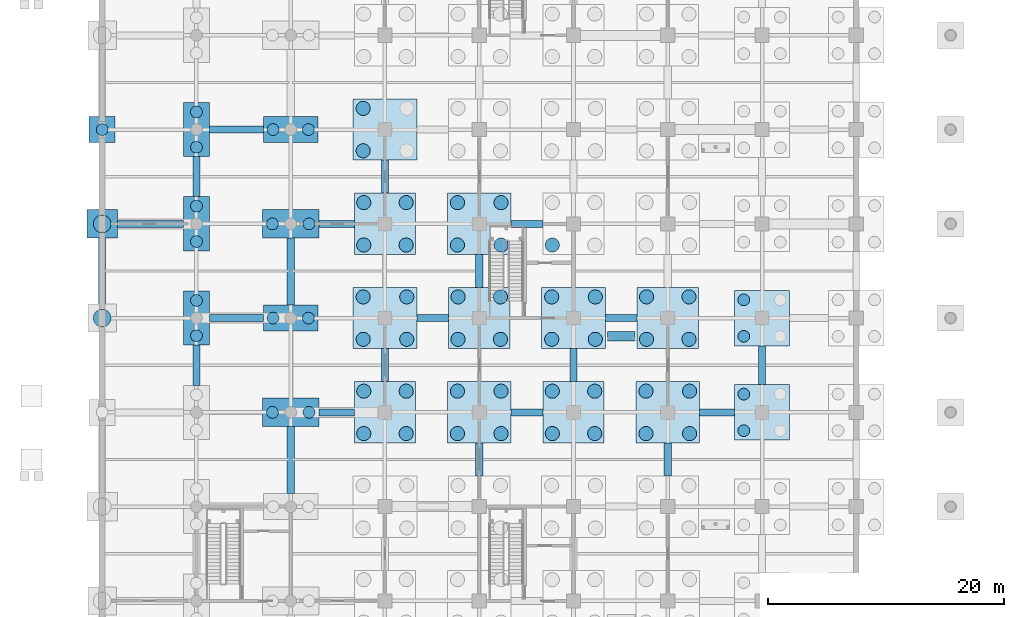
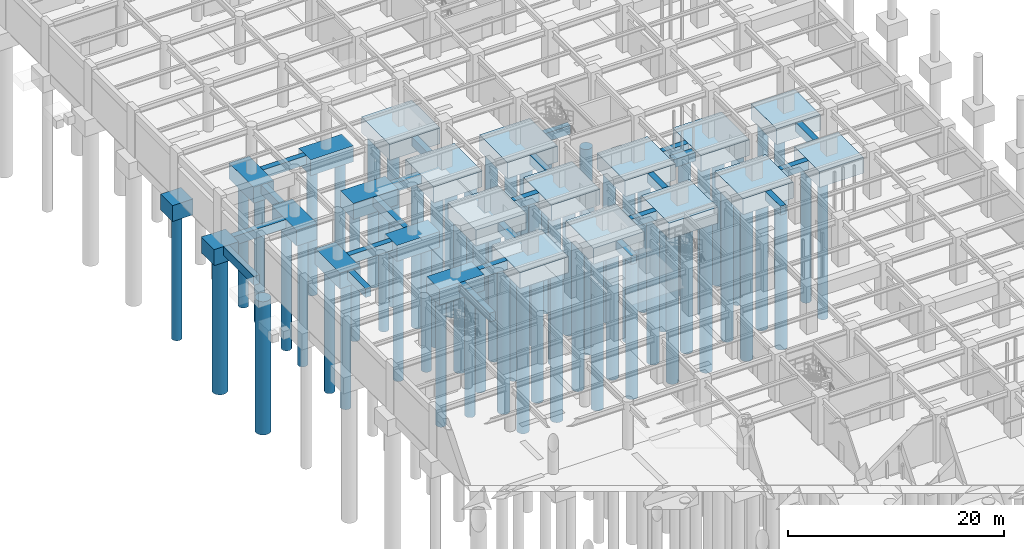
# One storey, part 6 of 97: 64 piles, 45 footings.
"""IFC4 building model written with IfcOpenShell, lengths in metres."""

from ifc_helpers import new_model, si_unit, direction, frame, origin, origin_2d, place, context, subcontext, project, spatial, rectangle, circle, extrude, material, layer, layer_set, material_profile, profile_set, type_object, element, save


model = new_model("IFC4")

# Units and contexts
model_context = context("Model", 3, precision=1e-05, world=origin(), true_north=direction((0.0, 1.0)))
body_context = subcontext(model_context, "Body", "Model", "MODEL_VIEW")
ifc_project = project(units=[si_unit("LENGTHUNIT", "METRE"), si_unit("AREAUNIT", "SQUARE_METRE"), si_unit("VOLUMEUNIT", "CUBIC_METRE"), si_unit("PLANEANGLEUNIT", "RADIAN"), si_unit("MASSUNIT", "GRAM", prefix="KILO")], contexts=[model_context])

# Site, building, storey
site_placement = place(None, origin())
site = spatial("IfcSite", under=ifc_project, at=site_placement, CompositionType="ELEMENT")
building_placement = place(site_placement, origin())
building = spatial("IfcBuilding", under=site, at=building_placement, Name="Haebicheon Civic Stadium", CompositionType="ELEMENT")
storey_placement = place(building_placement, frame((0.0, 0.0, -5.39990234375)))
storey = spatial("IfcBuildingStorey", under=building, at=storey_placement, Name="B1", CompositionType="ELEMENT", Elevation=-5.39990234375)

# Footings
ifc_material_1 = material(Name="Concrete C40/50", Category="concrete")
ifc_layer_1 = layer(ifc_material_1, 1.0, Name="Concrete C40/50")
ifc_layer_set_1 = layer_set([ifc_layer_1], Name="Concrete C40/50")
footing_type_1 = type_object("IfcFootingType", Name="FB-2700x600", PredefinedType="FOOTING_BEAM", material=ifc_layer_set_1)
for number, where, z_axis, x_axis, name in (
    (1, (28.050048828125, 104.0, -1.0), (0.0, 0.0, 1.0), (1.0, 0.0, 0.0), "Ground tie beam X 03-13"),
    (2, (36.050048828125, 96.0, -1.0), (0.0, 0.0, 1.0), (1.0, 0.0, 0.0), "Ground tie beam X 04-12"),
    (3, (36.050048828125, 112.0, -1.0), (0.0, 0.0, 1.0), (1.0, 0.0, 0.0), "Ground tie beam X 04-14"),
    (4, (44.050048828125, 104.0, -1.0), (0.0, 0.0, 1.0), (1.0, 0.0, 0.0), "Ground tie beam X 05-13"),
):
    element("IfcFooting", number, at=place(storey_placement, frame(where, z_axis=z_axis, x_axis=x_axis)), inside=storey, type_object=footing_type_1, material=ifc_layer_set_1, Name=name, PredefinedType="FOOTING_BEAM", context=body_context, shape_type="SweptSolid", body=[
        extrude(rectangle(XDim=2.699951171875, YDim=0.60009765625, at=origin_2d()), origin(), (0.0, 0.0, 1.0), 1.0),
    ])
ifc_material_2 = material(Name="Concrete C40/50", Category="concrete")
ifc_layer_2 = layer(ifc_material_2, 1.0, Name="Concrete C40/50")
ifc_layer_set_2 = layer_set([ifc_layer_2], Name="Concrete C40/50")
footing_type_2 = type_object("IfcFootingType", Name="FB-2800x600", PredefinedType="FOOTING_BEAM", material=ifc_layer_set_2)
for number, where, z_axis, x_axis, name in (
    (5, (24.0, 100.0, -1.0), (0.0, 0.0, 1.0), (0.0, 1.0, 0.0), "Ground tie beam Y 03-12"),
    (6, (24.0, 116.0, -1.0), (0.0, 0.0, 1.0), (0.0, 1.0, 0.0), "Ground tie beam Y 03-14"),
    (7, (32.0, 92.0, -1.0), (0.0, 0.0, 1.0), (0.0, 1.0, 0.0), "Ground tie beam Y 04-11"),
    (8, (32.0, 108.0, -1.0), (0.0, 0.0, 1.0), (0.0, 1.0, 0.0), "Ground tie beam Y 04-13"),
    (9, (40.0, 100.0, -1.0), (0.0, 0.0, 1.0), (0.0, 1.0, 0.0), "Ground tie beam Y 05-12"),
    (10, (48.0, 92.0, -1.0), (0.0, 0.0, 1.0), (0.0, 1.0, 0.0), "Ground tie beam Y 06-11"),
):
    element("IfcFooting", number, at=place(storey_placement, frame(where, z_axis=z_axis, x_axis=x_axis)), inside=storey, type_object=footing_type_2, material=ifc_layer_set_2, Name=name, PredefinedType="FOOTING_BEAM", context=body_context, shape_type="SweptSolid", body=[
        extrude(rectangle(XDim=2.800048828125, YDim=0.60009765625, at=origin_2d()), origin(), (0.0, 0.0, 1.0), 1.0),
    ])
ifc_material_3 = material(Name="Concrete C40/50", Category="concrete")
ifc_layer_3 = layer(ifc_material_3, 1.0, Name="Concrete C40/50")
ifc_layer_set_3 = layer_set([ifc_layer_3], Name="Concrete C40/50")
footing_type_3 = type_object("IfcFootingType", Name="FB-2950x600", PredefinedType="FOOTING_BEAM", material=ifc_layer_set_3)
footing_1_placement = place(storey_placement, frame((52.175048828125, 96.0, -1.0), z_axis=(0.0, 0.0, 1.0), x_axis=(1.0, 0.0, 0.0)))
element("IfcFooting", 11, at=footing_1_placement, inside=storey, type_object=footing_type_3, material=ifc_layer_set_3, Name="Ground tie beam X 06-12", PredefinedType="FOOTING_BEAM", context=body_context, shape_type="SweptSolid", body=[
    extrude(rectangle(XDim=2.949951171875, YDim=0.60009765625, at=origin_2d()), origin(), (0.0, 0.0, 1.0), 1.0),
])
ifc_material_4 = material(Name="Concrete C40/50", Category="concrete")
ifc_layer_4 = layer(ifc_material_4, 1.0, Name="Concrete C40/50")
ifc_layer_set_4 = layer_set([ifc_layer_4], Name="Concrete C40/50")
footing_type_4 = type_object("IfcFootingType", Name="FB-3000x600", PredefinedType="FOOTING_BEAM", material=ifc_layer_set_4)
for number, where, z_axis, x_axis, name in (
    (12, (19.89990234375, 96.0, -1.0), (0.0, 0.0, 1.0), (1.0, 0.0, 0.0), "Ground tie beam X 02-12"),
    (13, (19.89990234375, 112.0, -1.0), (0.0, 0.0, 1.0), (1.0, 0.0, 0.0), "Ground tie beam X 02-14"),
):
    element("IfcFooting", number, at=place(storey_placement, frame(where, z_axis=z_axis, x_axis=x_axis)), inside=storey, type_object=footing_type_4, material=ifc_layer_set_4, Name=name, PredefinedType="FOOTING_BEAM", context=body_context, shape_type="SweptSolid", body=[
        extrude(rectangle(XDim=3.0, YDim=0.60009765625, at=origin_2d()), origin(), (0.0, 0.0, 1.0), 1.0),
    ])
ifc_material_5 = material(Name="Concrete C40/50", Category="concrete")
ifc_layer_5 = layer(ifc_material_5, 1.0, Name="Concrete C40/50")
ifc_layer_set_5 = layer_set([ifc_layer_5], Name="Concrete C40/50")
footing_type_5 = type_object("IfcFootingType", Name="FB-3300x600", PredefinedType="FOOTING_BEAM", material=ifc_layer_set_5)
footing_2_placement = place(storey_placement, frame((56.0, 100.0, -1.0), z_axis=(0.0, 0.0, 1.0), x_axis=(0.0, 1.0, 0.0)))
element("IfcFooting", 14, at=footing_2_placement, inside=storey, type_object=footing_type_5, material=ifc_layer_set_5, Name="Ground tie beam Y 07-12", PredefinedType="FOOTING_BEAM", context=body_context, shape_type="SweptSolid", body=[
    extrude(rectangle(XDim=3.300048828125, YDim=0.60009765625, at=origin_2d()), origin(), (0.0, 0.0, 1.0), 1.0),
])
ifc_material_6 = material(Name="Concrete C40/50", Category="concrete")
ifc_layer_6 = layer(ifc_material_6, 1.0, Name="Concrete C40/50")
ifc_layer_set_6 = layer_set([ifc_layer_6], Name="Concrete C40/50")
footing_type_6 = type_object("IfcFootingType", Name="FB-3400x600", PredefinedType="FOOTING_BEAM", material=ifc_layer_set_6)
for number, where, z_axis, x_axis, name in (
    (15, (8.0, 100.0, -1.0), (0.0, 0.0, 1.0), (0.0, 1.0, 0.0), "Ground tie beam Y 01-12"),
    (16, (8.0, 116.0, -1.0), (0.0, 0.0, 1.0), (0.0, 1.0, 0.0), "Ground tie beam Y 01-14"),
):
    element("IfcFooting", number, at=place(storey_placement, frame(where, z_axis=z_axis, x_axis=x_axis)), inside=storey, type_object=footing_type_6, material=ifc_layer_set_6, Name=name, PredefinedType="FOOTING_BEAM", context=body_context, shape_type="SweptSolid", body=[
        extrude(rectangle(XDim=3.39990234375, YDim=0.60009765625, at=origin_2d()), origin(), (0.0, 0.0, 1.0), 1.0),
    ])
ifc_material_7 = material(Name="Concrete C40/50", Category="concrete")
ifc_layer_7 = layer(ifc_material_7, 1.0, Name="Concrete C40/50")
ifc_layer_set_7 = layer_set([ifc_layer_7], Name="Concrete C40/50")
footing_type_7 = type_object("IfcFootingType", Name="FB-4600x600", PredefinedType="FOOTING_BEAM", material=ifc_layer_set_7)
for number, where, z_axis, x_axis, name in (
    (17, (11.39990234375, 104.0, -1.0), (0.0, 0.0, 1.0), (1.0, 0.0, 0.0), "Ground tie beam X 01-13"),
    (18, (11.39990234375, 120.0, -1.0), (0.0, 0.0, 1.0), (1.0, 0.0, 0.0), "Ground tie beam X 01-15"),
):
    element("IfcFooting", number, at=place(storey_placement, frame(where, z_axis=z_axis, x_axis=x_axis)), inside=storey, type_object=footing_type_7, material=ifc_layer_set_7, Name=name, PredefinedType="FOOTING_BEAM", context=body_context, shape_type="SweptSolid", body=[
        extrude(rectangle(XDim=4.60009765625, YDim=0.60009765625, at=origin_2d()), origin(), (0.0, 0.0, 1.0), 1.0),
    ])
ifc_material_8 = material(Name="Concrete C40/50", Category="concrete")
ifc_layer_8 = layer(ifc_material_8, 1.0, Name="Concrete C40/50")
ifc_layer_set_8 = layer_set([ifc_layer_8], Name="Concrete C40/50")
footing_type_8 = type_object("IfcFootingType", Name="FB-5600x600", PredefinedType="FOOTING_BEAM", material=ifc_layer_set_8)
for number, where, z_axis, x_axis, name in (
    (19, (0.0, 108.0, -1.0), (0.0, 0.0, 1.0), (0.0, 1.0, 0.0), "Ground tie beam Y 00-13"),
    (20, (4.10009765625, 112.0, -1.0), (0.0, 0.0, 1.0), (1.0, 0.0, 0.0), "Ground tie beam X 00-14"),
):
    element("IfcFooting", number, at=place(storey_placement, frame(where, z_axis=z_axis, x_axis=x_axis)), inside=storey, type_object=footing_type_8, material=ifc_layer_set_8, Name=name, PredefinedType="FOOTING_BEAM", context=body_context, shape_type="SweptSolid", body=[
        extrude(rectangle(XDim=5.60009765625, YDim=0.60009765625, at=origin_2d()), origin(), (0.0, 0.0, 1.0), 1.0),
    ])
ifc_material_9 = material(Name="Concrete C40/50", Category="concrete")
ifc_layer_9 = layer(ifc_material_9, 1.0, Name="Concrete C40/50")
ifc_layer_set_9 = layer_set([ifc_layer_9], Name="Concrete C40/50")
footing_type_9 = type_object("IfcFootingType", Name="FB-5700x600", PredefinedType="FOOTING_BEAM", material=ifc_layer_set_9)
for number, where, z_axis, x_axis, name in (
    (21, (16.0, 91.949951171875, -1.0), (0.0, 0.0, 1.0), (0.0, 1.0, 0.0), "Ground tie beam Y 02-11"),
    (22, (16.0, 107.949951171875, -1.0), (0.0, 0.0, 1.0), (0.0, 1.0, 0.0), "Ground tie beam Y 02-13"),
):
    element("IfcFooting", number, at=place(storey_placement, frame(where, z_axis=z_axis, x_axis=x_axis)), inside=storey, type_object=footing_type_9, material=ifc_layer_set_9, Name=name, PredefinedType="FOOTING_BEAM", context=body_context, shape_type="SweptSolid", body=[
        extrude(rectangle(XDim=5.699951171875, YDim=0.60009765625, at=origin_2d()), origin(), (0.0, 0.0, 1.0), 1.0),
    ])
ifc_material_10 = material(Name="Concrete C40/50", Category="concrete")
ifc_layer_10 = layer(ifc_material_10, 1.800048828125, Name="Concrete C40/50")
ifc_layer_set_10 = layer_set([ifc_layer_10], Name="Concrete C40/50")
footing_type_10 = type_object("IfcFootingType", Name="PC-1P-2200", PredefinedType="PILE_CAP", material=ifc_layer_set_10)
footing_3_placement = place(storey_placement, frame((0.0, 120.0, -1.80029296875), z_axis=(0.0, 0.0, 1.0), x_axis=(1.0, 0.0, 0.0)))
element("IfcFooting", 23, at=footing_3_placement, inside=storey, type_object=footing_type_10, material=ifc_layer_set_10, Name="Pile cap FT-PC-00-15", PredefinedType="PILE_CAP", context=body_context, shape_type="SweptSolid", body=[
    extrude(rectangle(XDim=2.199951171875, YDim=2.199951171875, at=origin_2d()), origin(), (0.0, 0.0, 1.0), 1.800048828125),
])
ifc_material_11 = material(Name="Concrete C40/50", Category="concrete")
ifc_layer_11 = layer(ifc_material_11, 1.800048828125, Name="Concrete C40/50")
ifc_layer_set_11 = layer_set([ifc_layer_11], Name="Concrete C40/50")
footing_type_11 = type_object("IfcFootingType", Name="PC-1P-2600", PredefinedType="PILE_CAP", material=ifc_layer_set_11)
footing_4_placement = place(storey_placement, frame((0.0, 112.0, -1.80029296875), z_axis=(0.0, 0.0, 1.0), x_axis=(1.0, 0.0, 0.0)))
element("IfcFooting", 24, at=footing_4_placement, inside=storey, type_object=footing_type_11, material=ifc_layer_set_11, Name="Pile cap FT-PC-00-14", PredefinedType="PILE_CAP", context=body_context, shape_type="SweptSolid", body=[
    extrude(rectangle(XDim=2.60009765625, YDim=2.39990234375, at=origin_2d()), origin(), (0.0, 0.0, 1.0), 1.800048828125),
])
ifc_material_12 = material(Name="Concrete C40/50", Category="concrete")
ifc_layer_12 = layer(ifc_material_12, 1.800048828125, Name="Concrete C40/50")
ifc_layer_set_12 = layer_set([ifc_layer_12], Name="Concrete C40/50")
footing_type_12 = type_object("IfcFootingType", Name="PC-2P-2200", PredefinedType="PILE_CAP", material=ifc_layer_set_12)
for number, where, z_axis, x_axis, name in (
    (25, (8.0, 104.0, -1.80029296875), (0.0, 0.0, 1.0), (1.0, 0.0, 0.0), "Pile cap FT-PC-01-13"),
    (26, (8.0, 112.0, -1.80029296875), (0.0, 0.0, 1.0), (1.0, 0.0, 0.0), "Pile cap FT-PC-01-14"),
    (27, (8.0, 120.0, -1.80029296875), (0.0, 0.0, 1.0), (1.0, 0.0, 0.0), "Pile cap FT-PC-01-15"),
):
    element("IfcFooting", number, at=place(storey_placement, frame(where, z_axis=z_axis, x_axis=x_axis)), inside=storey, type_object=footing_type_12, material=ifc_layer_set_12, Name=name, PredefinedType="PILE_CAP", context=body_context, shape_type="SweptSolid", body=[
        extrude(rectangle(XDim=2.199951171875, YDim=4.60009765625, at=origin_2d()), origin(), (0.0, 0.0, 1.0), 1.800048828125),
    ])
ifc_material_13 = material(Name="Concrete C40/50", Category="concrete")
ifc_layer_13 = layer(ifc_material_13, 1.800048828125, Name="Concrete C40/50")
ifc_layer_set_13 = layer_set([ifc_layer_13], Name="Concrete C40/50")
footing_type_13 = type_object("IfcFootingType", Name="PC-2P-4600", PredefinedType="PILE_CAP", material=ifc_layer_set_13)
for number, where, z_axis, x_axis, name in (
    (28, (16.0, 104.0, -1.80029296875), (0.0, 0.0, 1.0), (1.0, 0.0, 0.0), "Pile cap FT-PC-02-13"),
    (29, (16.0, 120.0, -1.80029296875), (0.0, 0.0, 1.0), (1.0, 0.0, 0.0), "Pile cap FT-PC-02-15"),
):
    element("IfcFooting", number, at=place(storey_placement, frame(where, z_axis=z_axis, x_axis=x_axis)), inside=storey, type_object=footing_type_13, material=ifc_layer_set_13, Name=name, PredefinedType="PILE_CAP", context=body_context, shape_type="SweptSolid", body=[
        extrude(rectangle(XDim=4.60009765625, YDim=2.199951171875, at=origin_2d()), origin(), (0.0, 0.0, 1.0), 1.800048828125),
    ])
ifc_material_14 = material(Name="Concrete C40/50", Category="concrete")
ifc_layer_14 = layer(ifc_material_14, 1.800048828125, Name="Concrete C40/50")
ifc_layer_set_14 = layer_set([ifc_layer_14], Name="Concrete C40/50")
footing_type_14 = type_object("IfcFootingType", Name="PC-2P-4800", PredefinedType="PILE_CAP", material=ifc_layer_set_14)
for number, where, z_axis, x_axis, name in (
    (30, (16.0, 96.0, -1.80029296875), (0.0, 0.0, 1.0), (1.0, 0.0, 0.0), "Pile cap FT-PC-02-12"),
    (31, (16.0, 112.0, -1.80029296875), (0.0, 0.0, 1.0), (1.0, 0.0, 0.0), "Pile cap FT-PC-02-14"),
):
    element("IfcFooting", number, at=place(storey_placement, frame(where, z_axis=z_axis, x_axis=x_axis)), inside=storey, type_object=footing_type_14, material=ifc_layer_set_14, Name=name, PredefinedType="PILE_CAP", context=body_context, shape_type="SweptSolid", body=[
        extrude(rectangle(XDim=4.800048828125, YDim=2.39990234375, at=origin_2d()), origin(), (0.0, 0.0, 1.0), 1.800048828125),
    ])
ifc_material_15 = material(Name="Concrete C40/50", Category="concrete")
ifc_layer_15 = layer(ifc_material_15, 1.800048828125, Name="Concrete C40/50")
ifc_layer_set_15 = layer_set([ifc_layer_15], Name="Concrete C40/50")
footing_type_15 = type_object("IfcFootingType", Name="PC-4P-4700", PredefinedType="PILE_CAP", material=ifc_layer_set_15)
for number, where, z_axis, x_axis, name in (
    (32, (56.0, 96.0, -1.80029296875), (0.0, 0.0, 1.0), (1.0, 0.0, 0.0), "Pile cap FT-PC-07-12"),
    (33, (56.0, 104.0, -1.80029296875), (0.0, 0.0, 1.0), (1.0, 0.0, 0.0), "Pile cap FT-PC-07-13"),
):
    element("IfcFooting", number, at=place(storey_placement, frame(where, z_axis=z_axis, x_axis=x_axis)), inside=storey, type_object=footing_type_15, material=ifc_layer_set_15, Name=name, PredefinedType="PILE_CAP", context=body_context, shape_type="SweptSolid", body=[
        extrude(rectangle(XDim=4.699951171875, YDim=4.699951171875, at=origin_2d()), origin(), (0.0, 0.0, 1.0), 1.800048828125),
    ])
ifc_material_16 = material(Name="Concrete C40/50", Category="concrete")
ifc_layer_16 = layer(ifc_material_16, 1.800048828125, Name="Concrete C40/50")
ifc_layer_set_16 = layer_set([ifc_layer_16], Name="Concrete C40/50")
footing_type_16 = type_object("IfcFootingType", Name="PC-4P-5200", PredefinedType="PILE_CAP", material=ifc_layer_set_16)
for number, where, z_axis, x_axis, name in (
    (34, (24.0, 96.0, -1.80029296875), (0.0, 0.0, 1.0), (1.0, 0.0, 0.0), "Pile cap FT-PC-03-12"),
    (35, (24.0, 112.0, -1.80029296875), (0.0, 0.0, 1.0), (1.0, 0.0, 0.0), "Pile cap FT-PC-03-14"),
    (36, (32.0, 104.0, -1.80029296875), (0.0, 0.0, 1.0), (1.0, 0.0, 0.0), "Pile cap FT-PC-04-13"),
    (37, (40.0, 96.0, -1.80029296875), (0.0, 0.0, 1.0), (1.0, 0.0, 0.0), "Pile cap FT-PC-05-12"),
    (38, (48.0, 104.0, -1.80029296875), (0.0, 0.0, 1.0), (1.0, 0.0, 0.0), "Pile cap FT-PC-06-13"),
):
    element("IfcFooting", number, at=place(storey_placement, frame(where, z_axis=z_axis, x_axis=x_axis)), inside=storey, type_object=footing_type_16, material=ifc_layer_set_16, Name=name, PredefinedType="PILE_CAP", context=body_context, shape_type="SweptSolid", body=[
        extrude(rectangle(XDim=5.199951171875, YDim=5.199951171875, at=origin_2d()), origin(), (0.0, 0.0, 1.0), 1.800048828125),
    ])
ifc_material_17 = material(Name="Concrete C40/50", Category="concrete")
ifc_layer_17 = layer(ifc_material_17, 1.800048828125, Name="Concrete C40/50")
ifc_layer_set_17 = layer_set([ifc_layer_17], Name="Concrete C40/50")
footing_type_17 = type_object("IfcFootingType", Name="PC-4P-5400", PredefinedType="PILE_CAP", material=ifc_layer_set_17)
for number, where, z_axis, x_axis, name in (
    (39, (24.0, 104.0, -1.80029296875), (0.0, 0.0, 1.0), (1.0, 0.0, 0.0), "Pile cap FT-PC-03-13"),
    (40, (24.0, 120.0, -1.80029296875), (0.0, 0.0, 1.0), (1.0, 0.0, 0.0), "Pile cap FT-PC-03-15"),
    (41, (32.0, 96.0, -1.80029296875), (0.0, 0.0, 1.0), (1.0, 0.0, 0.0), "Pile cap FT-PC-04-12"),
    (42, (32.0, 112.0, -1.80029296875), (0.0, 0.0, 1.0), (1.0, 0.0, 0.0), "Pile cap FT-PC-04-14"),
    (43, (40.0, 104.0, -1.80029296875), (0.0, 0.0, 1.0), (1.0, 0.0, 0.0), "Pile cap FT-PC-05-13"),
    (44, (48.0, 96.0, -1.80029296875), (0.0, 0.0, 1.0), (1.0, 0.0, 0.0), "Pile cap FT-PC-06-12"),
):
    element("IfcFooting", number, at=place(storey_placement, frame(where, z_axis=z_axis, x_axis=x_axis)), inside=storey, type_object=footing_type_17, material=ifc_layer_set_17, Name=name, PredefinedType="PILE_CAP", context=body_context, shape_type="SweptSolid", body=[
        extrude(rectangle(XDim=5.39990234375, YDim=5.199951171875, at=origin_2d()), origin(), (0.0, 0.0, 1.0), 1.800048828125),
    ])
ifc_material_18 = material(Name="Concrete C35/45", Category="concrete")
ifc_layer_18 = layer(ifc_material_18, 0.89990234375, Name="Concrete C35/45")
ifc_layer_set_18 = layer_set([ifc_layer_18], Name="Concrete C35/45")
footing_type_18 = type_object("IfcFootingType", Name="PF-2360x800", PredefinedType="PAD_FOOTING", material=ifc_layer_set_18)
footing_5_placement = place(storey_placement, frame((44.050048828125, 102.449951171875, -0.900146484375), z_axis=(0.0, 0.0, 1.0), x_axis=(1.0, 0.0, 0.0)))
element("IfcFooting", 45, at=footing_5_placement, inside=storey, type_object=footing_type_18, material=ifc_layer_set_18, Name="VM-05 vomitory landing pad footing", PredefinedType="PAD_FOOTING", context=body_context, shape_type="SweptSolid", body=[
    extrude(rectangle(XDim=2.360107421875, YDim=0.800048828125, at=origin_2d()), origin(), (0.0, 0.0, 1.0), 0.89990234375),
])

# Piles
ifc_material_19 = material(Name="Concrete C40/50", Category="concrete")
ifc_material_profile_1 = material_profile(ifc_material_19, circle(Radius=0.5, at=origin_2d()), Name="PILE-D1000")
ifc_profile_set_1 = profile_set([ifc_material_profile_1], Name="Concrete C40/50")
pile_type_1 = type_object("IfcPileType", Name="PL-D1000", PredefinedType="BORED", material=ifc_profile_set_1)
for number, where, z_axis, x_axis, name in (
    (46, (0.0, 120.0, -1.7001953125), (0.0, 0.0, -1.0), (1.0, 0.0, 0.0), "Bored pile 00-15-1"),
    (47, (8.0, 102.5, -1.7001953125), (0.0, 0.0, -1.0), (1.0, 0.0, 0.0), "Bored pile 01-13-1"),
    (48, (8.0, 105.5, -1.7001953125), (0.0, 0.0, -1.0), (1.0, 0.0, 0.0), "Bored pile 01-13-2"),
    (49, (8.0, 110.5, -1.7001953125), (0.0, 0.0, -1.0), (1.0, 0.0, 0.0), "Bored pile 01-14-1"),
    (50, (8.0, 113.5, -1.7001953125), (0.0, 0.0, -1.0), (1.0, 0.0, 0.0), "Bored pile 01-14-2"),
    (51, (8.0, 118.5, -1.7001953125), (0.0, 0.0, -1.0), (1.0, 0.0, 0.0), "Bored pile 01-15-1"),
    (52, (8.0, 121.5, -1.7001953125), (0.0, 0.0, -1.0), (1.0, 0.0, 0.0), "Bored pile 01-15-2"),
):
    element("IfcPile", number, at=place(storey_placement, frame(where, z_axis=z_axis, x_axis=x_axis)), inside=storey, type_object=pile_type_1, material=ifc_profile_set_1, Name=name, PredefinedType="BORED", context=body_context, shape_type="SweptSolid", body=[
        extrude(circle(Radius=0.5, at=origin_2d()), origin(), (0.0, 0.0, 1.0), 14.300048828125),
    ])
for number, where, z_axis, x_axis, name in (
    (53, (14.449951171875, 96.0, -1.7001953125), (0.0, 0.0, -1.0), (1.0, 0.0, 0.0), "Bored pile 02-12-1"),
    (54, (17.550048828125, 96.0, -1.7001953125), (0.0, 0.0, -1.0), (1.0, 0.0, 0.0), "Bored pile 02-12-2"),
):
    element("IfcPile", number, at=place(storey_placement, frame(where, z_axis=z_axis, x_axis=x_axis)), inside=storey, type_object=pile_type_1, material=ifc_profile_set_1, Name=name, PredefinedType="BORED", context=body_context, shape_type="SweptSolid", body=[
        extrude(circle(Radius=0.5, at=origin_2d()), origin(), (0.0, 0.0, 1.0), 14.60009765625),
    ])
for number, where, z_axis, x_axis, name in (
    (55, (14.5, 104.0, -1.7001953125), (0.0, 0.0, -1.0), (1.0, 0.0, 0.0), "Bored pile 02-13-1"),
    (56, (17.5, 104.0, -1.7001953125), (0.0, 0.0, -1.0), (1.0, 0.0, 0.0), "Bored pile 02-13-2"),
):
    element("IfcPile", number, at=place(storey_placement, frame(where, z_axis=z_axis, x_axis=x_axis)), inside=storey, type_object=pile_type_1, material=ifc_profile_set_1, Name=name, PredefinedType="BORED", context=body_context, shape_type="SweptSolid", body=[
        extrude(circle(Radius=0.5, at=origin_2d()), origin(), (0.0, 0.0, 1.0), 14.300048828125),
    ])
for number, where, z_axis, x_axis, name in (
    (57, (14.449951171875, 112.0, -1.7001953125), (0.0, 0.0, -1.0), (1.0, 0.0, 0.0), "Bored pile 02-14-1"),
    (58, (17.550048828125, 112.0, -1.7001953125), (0.0, 0.0, -1.0), (1.0, 0.0, 0.0), "Bored pile 02-14-2"),
):
    element("IfcPile", number, at=place(storey_placement, frame(where, z_axis=z_axis, x_axis=x_axis)), inside=storey, type_object=pile_type_1, material=ifc_profile_set_1, Name=name, PredefinedType="BORED", context=body_context, shape_type="SweptSolid", body=[
        extrude(circle(Radius=0.5, at=origin_2d()), origin(), (0.0, 0.0, 1.0), 14.60009765625),
    ])
for number, where, z_axis, x_axis, name in (
    (59, (14.5, 120.0, -1.7001953125), (0.0, 0.0, -1.0), (1.0, 0.0, 0.0), "Bored pile 02-15-1"),
    (60, (17.5, 120.0, -1.7001953125), (0.0, 0.0, -1.0), (1.0, 0.0, 0.0), "Bored pile 02-15-2"),
):
    element("IfcPile", number, at=place(storey_placement, frame(where, z_axis=z_axis, x_axis=x_axis)), inside=storey, type_object=pile_type_1, material=ifc_profile_set_1, Name=name, PredefinedType="BORED", context=body_context, shape_type="SweptSolid", body=[
        extrude(circle(Radius=0.5, at=origin_2d()), origin(), (0.0, 0.0, 1.0), 14.300048828125),
    ])
for number, where, z_axis, x_axis, name in (
    (61, (54.449951171875, 94.449951171875, -1.7001953125), (0.0, 0.0, -1.0), (1.0, 0.0, 0.0), "Bored pile 07-12-1"),
    (62, (54.449951171875, 97.550048828125, -1.7001953125), (0.0, 0.0, -1.0), (1.0, 0.0, 0.0), "Bored pile 07-12-3"),
    (63, (54.449951171875, 102.449951171875, -1.7001953125), (0.0, 0.0, -1.0), (1.0, 0.0, 0.0), "Bored pile 07-13-1"),
    (64, (54.449951171875, 105.550048828125, -1.7001953125), (0.0, 0.0, -1.0), (1.0, 0.0, 0.0), "Bored pile 07-13-3"),
):
    element("IfcPile", number, at=place(storey_placement, frame(where, z_axis=z_axis, x_axis=x_axis)), inside=storey, type_object=pile_type_1, material=ifc_profile_set_1, Name=name, PredefinedType="BORED", context=body_context, shape_type="SweptSolid", body=[
        extrude(circle(Radius=0.5, at=origin_2d()), origin(), (0.0, 0.0, 1.0), 15.5),
    ])
ifc_material_20 = material(Name="Concrete C40/50", Category="concrete")
ifc_material_profile_2 = material_profile(ifc_material_20, circle(Radius=0.60009765625, at=origin_2d()), Name="PILE-D1200")
ifc_profile_set_2 = profile_set([ifc_material_profile_2], Name="Concrete C40/50")
pile_type_2 = type_object("IfcPileType", Name="PL-D1200", PredefinedType="BORED", material=ifc_profile_set_2)
for number, where, z_axis, x_axis, name in (
    (65, (22.199951171875, 94.199951171875, -1.7001953125), (0.0, 0.0, -1.0), (1.0, 0.0, 0.0), "Bored pile 03-12-1"),
    (66, (25.800048828125, 94.199951171875, -1.7001953125), (0.0, 0.0, -1.0), (1.0, 0.0, 0.0), "Bored pile 03-12-2"),
    (67, (22.199951171875, 97.800048828125, -1.7001953125), (0.0, 0.0, -1.0), (1.0, 0.0, 0.0), "Bored pile 03-12-3"),
    (68, (25.800048828125, 97.800048828125, -1.7001953125), (0.0, 0.0, -1.0), (1.0, 0.0, 0.0), "Bored pile 03-12-4"),
):
    element("IfcPile", number, at=place(storey_placement, frame(where, z_axis=z_axis, x_axis=x_axis)), inside=storey, type_object=pile_type_2, material=ifc_profile_set_2, Name=name, PredefinedType="BORED", context=body_context, shape_type="SweptSolid", body=[
        extrude(circle(Radius=0.60009765625, at=origin_2d()), origin(), (0.0, 0.0, 1.0), 16.89990234375),
    ])
for number, where, z_axis, x_axis, name in (
    (69, (22.14990234375, 102.199951171875, -1.7001953125), (0.0, 0.0, -1.0), (1.0, 0.0, 0.0), "Bored pile 03-13-1"),
    (70, (25.85009765625, 102.199951171875, -1.7001953125), (0.0, 0.0, -1.0), (1.0, 0.0, 0.0), "Bored pile 03-13-2"),
    (71, (22.14990234375, 105.800048828125, -1.7001953125), (0.0, 0.0, -1.0), (1.0, 0.0, 0.0), "Bored pile 03-13-3"),
    (72, (25.85009765625, 105.800048828125, -1.7001953125), (0.0, 0.0, -1.0), (1.0, 0.0, 0.0), "Bored pile 03-13-4"),
):
    element("IfcPile", number, at=place(storey_placement, frame(where, z_axis=z_axis, x_axis=x_axis)), inside=storey, type_object=pile_type_2, material=ifc_profile_set_2, Name=name, PredefinedType="BORED", context=body_context, shape_type="SweptSolid", body=[
        extrude(circle(Radius=0.60009765625, at=origin_2d()), origin(), (0.0, 0.0, 1.0), 17.10009765625),
    ])
for number, where, z_axis, x_axis, name in (
    (73, (22.199951171875, 110.199951171875, -1.7001953125), (0.0, 0.0, -1.0), (1.0, 0.0, 0.0), "Bored pile 03-14-1"),
    (74, (25.800048828125, 110.199951171875, -1.7001953125), (0.0, 0.0, -1.0), (1.0, 0.0, 0.0), "Bored pile 03-14-2"),
    (75, (22.199951171875, 113.800048828125, -1.7001953125), (0.0, 0.0, -1.0), (1.0, 0.0, 0.0), "Bored pile 03-14-3"),
    (76, (25.800048828125, 113.800048828125, -1.7001953125), (0.0, 0.0, -1.0), (1.0, 0.0, 0.0), "Bored pile 03-14-4"),
):
    element("IfcPile", number, at=place(storey_placement, frame(where, z_axis=z_axis, x_axis=x_axis)), inside=storey, type_object=pile_type_2, material=ifc_profile_set_2, Name=name, PredefinedType="BORED", context=body_context, shape_type="SweptSolid", body=[
        extrude(circle(Radius=0.60009765625, at=origin_2d()), origin(), (0.0, 0.0, 1.0), 16.89990234375),
    ])
for number, where, z_axis, x_axis, name in (
    (77, (22.14990234375, 118.199951171875, -1.7001953125), (0.0, 0.0, -1.0), (1.0, 0.0, 0.0), "Bored pile 03-15-1"),
    (78, (22.14990234375, 121.800048828125, -1.7001953125), (0.0, 0.0, -1.0), (1.0, 0.0, 0.0), "Bored pile 03-15-3"),
    (79, (30.14990234375, 94.199951171875, -1.7001953125), (0.0, 0.0, -1.0), (1.0, 0.0, 0.0), "Bored pile 04-12-1"),
    (80, (33.85009765625, 94.199951171875, -1.7001953125), (0.0, 0.0, -1.0), (1.0, 0.0, 0.0), "Bored pile 04-12-2"),
    (81, (30.14990234375, 97.800048828125, -1.7001953125), (0.0, 0.0, -1.0), (1.0, 0.0, 0.0), "Bored pile 04-12-3"),
    (82, (33.85009765625, 97.800048828125, -1.7001953125), (0.0, 0.0, -1.0), (1.0, 0.0, 0.0), "Bored pile 04-12-4"),
):
    element("IfcPile", number, at=place(storey_placement, frame(where, z_axis=z_axis, x_axis=x_axis)), inside=storey, type_object=pile_type_2, material=ifc_profile_set_2, Name=name, PredefinedType="BORED", context=body_context, shape_type="SweptSolid", body=[
        extrude(circle(Radius=0.60009765625, at=origin_2d()), origin(), (0.0, 0.0, 1.0), 17.10009765625),
    ])
for number, where, z_axis, x_axis, name in (
    (83, (30.199951171875, 102.199951171875, -1.7001953125), (0.0, 0.0, -1.0), (1.0, 0.0, 0.0), "Bored pile 04-13-1"),
    (84, (33.800048828125, 102.199951171875, -1.7001953125), (0.0, 0.0, -1.0), (1.0, 0.0, 0.0), "Bored pile 04-13-2"),
    (85, (30.199951171875, 105.800048828125, -1.7001953125), (0.0, 0.0, -1.0), (1.0, 0.0, 0.0), "Bored pile 04-13-3"),
    (86, (33.800048828125, 105.800048828125, -1.7001953125), (0.0, 0.0, -1.0), (1.0, 0.0, 0.0), "Bored pile 04-13-4"),
):
    element("IfcPile", number, at=place(storey_placement, frame(where, z_axis=z_axis, x_axis=x_axis)), inside=storey, type_object=pile_type_2, material=ifc_profile_set_2, Name=name, PredefinedType="BORED", context=body_context, shape_type="SweptSolid", body=[
        extrude(circle(Radius=0.60009765625, at=origin_2d()), origin(), (0.0, 0.0, 1.0), 16.89990234375),
    ])
for number, where, z_axis, x_axis, name in (
    (87, (30.14990234375, 110.199951171875, -1.7001953125), (0.0, 0.0, -1.0), (1.0, 0.0, 0.0), "Bored pile 04-14-1"),
    (88, (33.85009765625, 110.199951171875, -1.7001953125), (0.0, 0.0, -1.0), (1.0, 0.0, 0.0), "Bored pile 04-14-2"),
    (89, (30.14990234375, 113.800048828125, -1.7001953125), (0.0, 0.0, -1.0), (1.0, 0.0, 0.0), "Bored pile 04-14-3"),
    (90, (33.85009765625, 113.800048828125, -1.7001953125), (0.0, 0.0, -1.0), (1.0, 0.0, 0.0), "Bored pile 04-14-4"),
):
    element("IfcPile", number, at=place(storey_placement, frame(where, z_axis=z_axis, x_axis=x_axis)), inside=storey, type_object=pile_type_2, material=ifc_profile_set_2, Name=name, PredefinedType="BORED", context=body_context, shape_type="SweptSolid", body=[
        extrude(circle(Radius=0.60009765625, at=origin_2d()), origin(), (0.0, 0.0, 1.0), 17.10009765625),
    ])
for number, where, z_axis, x_axis, name in (
    (91, (38.199951171875, 94.199951171875, -1.7001953125), (0.0, 0.0, -1.0), (1.0, 0.0, 0.0), "Bored pile 05-12-1"),
    (92, (41.800048828125, 94.199951171875, -1.7001953125), (0.0, 0.0, -1.0), (1.0, 0.0, 0.0), "Bored pile 05-12-2"),
    (93, (38.199951171875, 97.800048828125, -1.7001953125), (0.0, 0.0, -1.0), (1.0, 0.0, 0.0), "Bored pile 05-12-3"),
    (94, (41.800048828125, 97.800048828125, -1.7001953125), (0.0, 0.0, -1.0), (1.0, 0.0, 0.0), "Bored pile 05-12-4"),
):
    element("IfcPile", number, at=place(storey_placement, frame(where, z_axis=z_axis, x_axis=x_axis)), inside=storey, type_object=pile_type_2, material=ifc_profile_set_2, Name=name, PredefinedType="BORED", context=body_context, shape_type="SweptSolid", body=[
        extrude(circle(Radius=0.60009765625, at=origin_2d()), origin(), (0.0, 0.0, 1.0), 16.89990234375),
    ])
for number, where, z_axis, x_axis, name in (
    (95, (38.14990234375, 102.199951171875, -1.7001953125), (0.0, 0.0, -1.0), (1.0, 0.0, 0.0), "Bored pile 05-13-1"),
    (96, (41.85009765625, 102.199951171875, -1.7001953125), (0.0, 0.0, -1.0), (1.0, 0.0, 0.0), "Bored pile 05-13-2"),
    (97, (38.14990234375, 105.800048828125, -1.7001953125), (0.0, 0.0, -1.0), (1.0, 0.0, 0.0), "Bored pile 05-13-3"),
    (98, (41.85009765625, 105.800048828125, -1.7001953125), (0.0, 0.0, -1.0), (1.0, 0.0, 0.0), "Bored pile 05-13-4"),
):
    element("IfcPile", number, at=place(storey_placement, frame(where, z_axis=z_axis, x_axis=x_axis)), inside=storey, type_object=pile_type_2, material=ifc_profile_set_2, Name=name, PredefinedType="BORED", context=body_context, shape_type="SweptSolid", body=[
        extrude(circle(Radius=0.60009765625, at=origin_2d()), origin(), (0.0, 0.0, 1.0), 17.10009765625),
    ])
pile_1_placement = place(storey_placement, frame((38.199951171875, 110.199951171875, -1.7001953125), z_axis=(0.0, 0.0, -1.0), x_axis=(1.0, 0.0, 0.0)))
element("IfcPile", 99, at=pile_1_placement, inside=storey, type_object=pile_type_2, material=ifc_profile_set_2, Name="Bored pile 05-14-1", PredefinedType="BORED", context=body_context, shape_type="SweptSolid", body=[
    extrude(circle(Radius=0.60009765625, at=origin_2d()), origin(), (0.0, 0.0, 1.0), 16.89990234375),
])
for number, where, z_axis, x_axis, name in (
    (100, (46.14990234375, 94.199951171875, -1.7001953125), (0.0, 0.0, -1.0), (1.0, 0.0, 0.0), "Bored pile 06-12-1"),
    (101, (49.85009765625, 94.199951171875, -1.7001953125), (0.0, 0.0, -1.0), (1.0, 0.0, 0.0), "Bored pile 06-12-2"),
    (102, (46.14990234375, 97.800048828125, -1.7001953125), (0.0, 0.0, -1.0), (1.0, 0.0, 0.0), "Bored pile 06-12-3"),
    (103, (49.85009765625, 97.800048828125, -1.7001953125), (0.0, 0.0, -1.0), (1.0, 0.0, 0.0), "Bored pile 06-12-4"),
):
    element("IfcPile", number, at=place(storey_placement, frame(where, z_axis=z_axis, x_axis=x_axis)), inside=storey, type_object=pile_type_2, material=ifc_profile_set_2, Name=name, PredefinedType="BORED", context=body_context, shape_type="SweptSolid", body=[
        extrude(circle(Radius=0.60009765625, at=origin_2d()), origin(), (0.0, 0.0, 1.0), 17.10009765625),
    ])
for number, where, z_axis, x_axis, name in (
    (104, (46.199951171875, 102.199951171875, -1.7001953125), (0.0, 0.0, -1.0), (1.0, 0.0, 0.0), "Bored pile 06-13-1"),
    (105, (49.800048828125, 102.199951171875, -1.7001953125), (0.0, 0.0, -1.0), (1.0, 0.0, 0.0), "Bored pile 06-13-2"),
    (106, (46.199951171875, 105.800048828125, -1.7001953125), (0.0, 0.0, -1.0), (1.0, 0.0, 0.0), "Bored pile 06-13-3"),
    (107, (49.800048828125, 105.800048828125, -1.7001953125), (0.0, 0.0, -1.0), (1.0, 0.0, 0.0), "Bored pile 06-13-4"),
):
    element("IfcPile", number, at=place(storey_placement, frame(where, z_axis=z_axis, x_axis=x_axis)), inside=storey, type_object=pile_type_2, material=ifc_profile_set_2, Name=name, PredefinedType="BORED", context=body_context, shape_type="SweptSolid", body=[
        extrude(circle(Radius=0.60009765625, at=origin_2d()), origin(), (0.0, 0.0, 1.0), 16.89990234375),
    ])
ifc_material_21 = material(Name="Concrete C40/50", Category="concrete")
ifc_material_profile_3 = material_profile(ifc_material_21, circle(Radius=0.75, at=origin_2d()), Name="PILE-D1500")
ifc_profile_set_3 = profile_set([ifc_material_profile_3], Name="Concrete C40/50")
pile_type_3 = type_object("IfcPileType", Name="PL-D1500", PredefinedType="BORED", material=ifc_profile_set_3)
pile_2_placement = place(storey_placement, frame((0.0, 104.0, -1.7001953125), z_axis=(0.0, 0.0, -1.0), x_axis=(1.0, 0.0, 0.0)))
element("IfcPile", 108, at=pile_2_placement, inside=storey, type_object=pile_type_3, material=ifc_profile_set_3, Name="Bored pile 00-13-1", PredefinedType="BORED", context=body_context, shape_type="SweptSolid", body=[
    extrude(circle(Radius=0.75, at=origin_2d()), origin(), (0.0, 0.0, 1.0), 15.10009765625),
])
pile_3_placement = place(storey_placement, frame((0.0, 112.0, -1.7001953125), z_axis=(0.0, 0.0, -1.0), x_axis=(1.0, 0.0, 0.0)))
element("IfcPile", 109, at=pile_3_placement, inside=storey, type_object=pile_type_3, material=ifc_profile_set_3, Name="Bored pile 00-14-1", PredefinedType="BORED", context=body_context, shape_type="SweptSolid", body=[
    extrude(circle(Radius=0.75, at=origin_2d()), origin(), (0.0, 0.0, 1.0), 15.39990234375),
])

save(model, "model.ifc")
